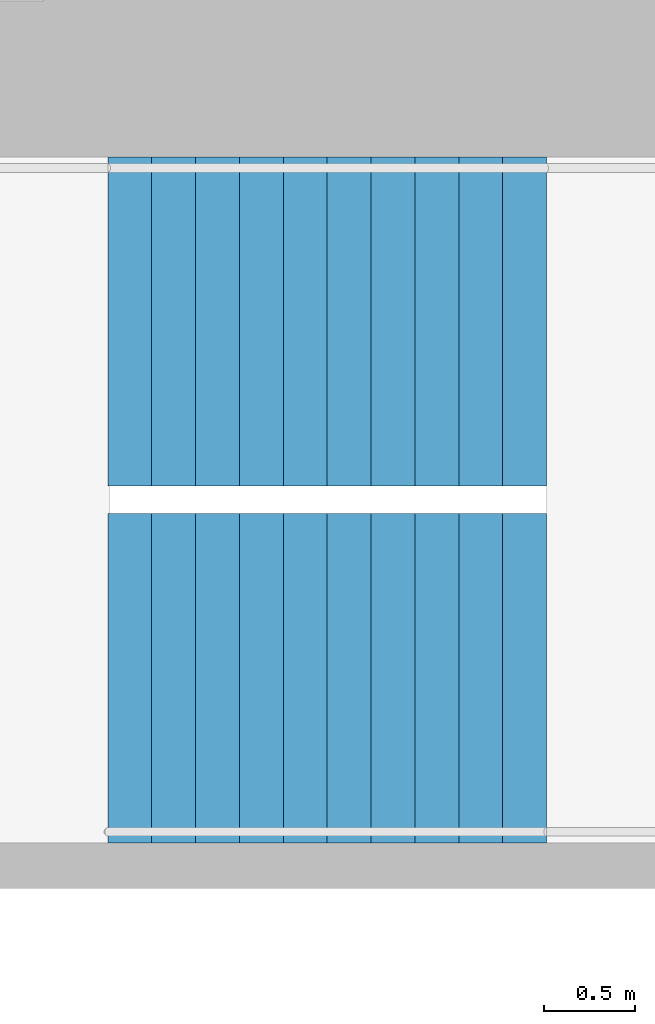
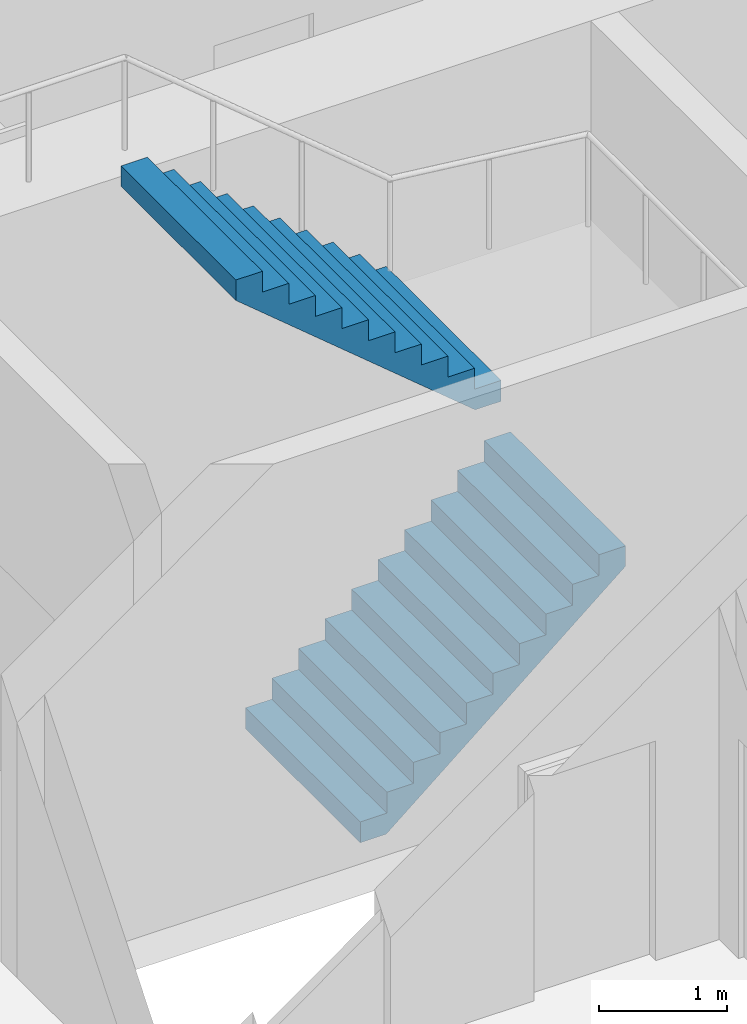
# One storey, part 26 of 30: 2 stair flights, 1 element without a shape of its own.
"""IFC4 building model written with IfcOpenShell, lengths in metres."""

from ifc_helpers import new_model, si_unit, direction, frame, origin, place, context, subcontext, project, spatial, triangles, material, type_object, element, aggregate, save


model = new_model("IFC4")

# Units and contexts
model_context = context("Model", 3, precision=1e-05, world=origin(), true_north=direction((0.0, 1.0)))
body_context = subcontext(model_context, "Body", "Model", "MODEL_VIEW")
ifc_project = project(units=[si_unit("LENGTHUNIT", "METRE"), si_unit("AREAUNIT", "SQUARE_METRE"), si_unit("VOLUMEUNIT", "CUBIC_METRE"), si_unit("PLANEANGLEUNIT", "RADIAN"), si_unit("MASSUNIT", "GRAM", prefix="KILO")], contexts=[model_context])

# Site, building, storey
site_placement = place(None, origin())
site = spatial("IfcSite", under=ifc_project, at=site_placement, CompositionType="ELEMENT")
building_placement = place(site_placement, origin())
building = spatial("IfcBuilding", under=site, at=building_placement, Name="Hakoniwa Tower and Hamabe Station Hall", CompositionType="ELEMENT")
storey_placement = place(building_placement, frame((0.0, 0.0, 64.60009765625)))
storey = spatial("IfcBuildingStorey", under=building, at=storey_placement, Name="L18", CompositionType="ELEMENT", Elevation=64.60009765625)

# Stair, stair flights
ifc_material_1 = material(Name="Concrete C40", Category="concrete")
stair_type = type_object("IfcStairType", Name="ESCAPE STAIR 1800", PredefinedType="HALF_TURN_STAIR", material=ifc_material_1)
stair_placement = place(storey_placement, origin())
stair = element("IfcStair", 1, at=stair_placement, inside=storey, type_object=stair_type, Name="Escape stair ST-1 L18", PredefinedType="HALF_TURN_STAIR")
ifc_material_2 = material(Name="Concrete C40", Category="concrete")
stair_flight_type = type_object("IfcStairFlightType", Name="STAIR FLIGHT 1800", PredefinedType="STRAIGHT", material=ifc_material_2)
stair_flight_1_placement = place(storey_placement, frame((-24.39990234375, 4.64990234375, 0.0), z_axis=(0.0, 0.0, 1.0), x_axis=(1.0, 0.0, 0.0)))
stair_flight_1 = element("IfcStairFlight", 2, at=stair_flight_1_placement, type_object=stair_flight_type, Name="ST-1 flight 1", NumberOfRisers=11, NumberOfTreads=10, PredefinedType="STRAIGHT", RiserHeight=0.2, TreadLength=0.24, context=body_context, shape_type="Tessellation", body=[
    triangles([(0.0, 0.89990234375, 0.0), (0.234130859375, 0.89990234375, 0.0), (0.239990234375, 0.89990234375, 0.0048828125), (0.47998046875, 0.89990234375, 0.204833984375), (0.719970703125, 0.89990234375, 0.40478515625), (0.9599609375, 0.89990234375, 0.60498046875), (1.199951171875, 0.89990234375, 0.804931640625), (1.43994140625, 0.89990234375, 1.0048828125), (1.679931640625, 0.89990234375, 1.204833984375), (1.919921875, 0.89990234375, 1.40478515625), (2.159912109375, 0.89990234375, 1.60498046875), (2.39990234375, 0.89990234375, 1.804931640625), (2.39990234375, 0.89990234375, 2.0), (2.159912109375, 0.89990234375, 2.0), (2.159912109375, 0.89990234375, 1.800048828125), (1.919921875, 0.89990234375, 1.800048828125), (1.919921875, 0.89990234375, 1.60009765625), (1.679931640625, 0.89990234375, 1.60009765625), (1.679931640625, 0.89990234375, 1.39990234375), (1.43994140625, 0.89990234375, 1.39990234375), (1.43994140625, 0.89990234375, 1.199951171875), (1.199951171875, 0.89990234375, 1.199951171875), (1.199951171875, 0.89990234375, 1.0), (0.9599609375, 0.89990234375, 1.0), (0.9599609375, 0.89990234375, 0.800048828125), (0.719970703125, 0.89990234375, 0.800048828125), (0.719970703125, 0.89990234375, 0.60009765625), (0.47998046875, 0.89990234375, 0.60009765625), (0.47998046875, 0.89990234375, 0.39990234375), (0.239990234375, 0.89990234375, 0.39990234375), (0.239990234375, 0.89990234375, 0.199951171875), (0.234130859375, 0.89990234375, 0.199951171875), (0.0, 0.89990234375, 0.199951171875), (0.0, 0.06005859375, 0.0), (0.234130859375, 0.06005859375, 0.0), (0.239990234375, 0.06005859375, 0.0048828125), (0.47998046875, 0.06005859375, 0.204833984375), (0.719970703125, 0.06005859375, 0.40478515625), (0.9599609375, 0.06005859375, 0.60498046875), (1.199951171875, 0.06005859375, 0.804931640625), (1.43994140625, 0.06005859375, 1.0048828125), (1.679931640625, 0.06005859375, 1.204833984375), (1.919921875, 0.06005859375, 1.40478515625), (2.159912109375, 0.06005859375, 1.60498046875), (2.39990234375, 0.06005859375, 1.804931640625), (2.39990234375, 0.06005859375, 2.0), (2.159912109375, 0.06005859375, 2.0), (2.159912109375, 0.06005859375, 1.800048828125), (1.919921875, 0.06005859375, 1.800048828125), (1.919921875, 0.06005859375, 1.60009765625), (1.679931640625, 0.06005859375, 1.60009765625), (1.679931640625, 0.06005859375, 1.39990234375), (1.43994140625, 0.06005859375, 1.39990234375), (1.43994140625, 0.06005859375, 1.199951171875), (1.199951171875, 0.06005859375, 1.199951171875), (1.199951171875, 0.06005859375, 1.0), (0.9599609375, 0.06005859375, 1.0), (0.9599609375, 0.06005859375, 0.800048828125), (0.719970703125, 0.06005859375, 0.800048828125), (0.719970703125, 0.06005859375, 0.60009765625), (0.47998046875, 0.06005859375, 0.60009765625), (0.47998046875, 0.06005859375, 0.39990234375), (0.239990234375, 0.06005859375, 0.39990234375), (0.239990234375, 0.06005859375, 0.199951171875), (0.234130859375, 0.06005859375, 0.199951171875), (0.0, 0.06005859375, 0.199951171875), (0.0, 0.02001953125, 0.0), (0.234130859375, 0.02001953125, 0.0), (0.239990234375, 0.02001953125, 0.0048828125), (0.47998046875, 0.02001953125, 0.204833984375), (0.719970703125, 0.02001953125, 0.40478515625), (0.9599609375, 0.02001953125, 0.60498046875), (1.199951171875, 0.02001953125, 0.804931640625), (1.43994140625, 0.02001953125, 1.0048828125), (1.679931640625, 0.02001953125, 1.204833984375), (1.919921875, 0.02001953125, 1.40478515625), (2.159912109375, 0.02001953125, 1.60498046875), (2.39990234375, 0.02001953125, 1.804931640625), (2.39990234375, 0.02001953125, 2.0), (2.159912109375, 0.02001953125, 2.0), (2.159912109375, 0.02001953125, 1.800048828125), (1.919921875, 0.02001953125, 1.800048828125), (1.919921875, 0.02001953125, 1.60009765625), (1.679931640625, 0.02001953125, 1.60009765625), (1.679931640625, 0.02001953125, 1.39990234375), (1.43994140625, 0.02001953125, 1.39990234375), (1.43994140625, 0.02001953125, 1.199951171875), (1.199951171875, 0.02001953125, 1.199951171875), (1.199951171875, 0.02001953125, 1.0), (0.9599609375, 0.02001953125, 1.0), (0.9599609375, 0.02001953125, 0.800048828125), (0.719970703125, 0.02001953125, 0.800048828125), (0.719970703125, 0.02001953125, 0.60009765625), (0.47998046875, 0.02001953125, 0.60009765625), (0.47998046875, 0.02001953125, 0.39990234375), (0.239990234375, 0.02001953125, 0.39990234375), (0.239990234375, 0.02001953125, 0.199951171875), (0.234130859375, 0.02001953125, 0.199951171875), (0.0, 0.02001953125, 0.199951171875), (0.0, -0.02001953125, 0.0), (0.234130859375, -0.02001953125, 0.0), (0.239990234375, -0.02001953125, 0.0048828125), (0.47998046875, -0.02001953125, 0.204833984375), (0.719970703125, -0.02001953125, 0.40478515625), (0.9599609375, -0.02001953125, 0.60498046875), (1.199951171875, -0.02001953125, 0.804931640625), (1.43994140625, -0.02001953125, 1.0048828125), (1.679931640625, -0.02001953125, 1.204833984375), (1.919921875, -0.02001953125, 1.40478515625), (2.159912109375, -0.02001953125, 1.60498046875), (2.39990234375, -0.02001953125, 1.804931640625), (2.39990234375, -0.02001953125, 2.0), (2.159912109375, -0.02001953125, 2.0), (2.159912109375, -0.02001953125, 1.800048828125), (1.919921875, -0.02001953125, 1.800048828125), (1.919921875, -0.02001953125, 1.60009765625), (1.679931640625, -0.02001953125, 1.60009765625), (1.679931640625, -0.02001953125, 1.39990234375), (1.43994140625, -0.02001953125, 1.39990234375), (1.43994140625, -0.02001953125, 1.199951171875), (1.199951171875, -0.02001953125, 1.199951171875), (1.199951171875, -0.02001953125, 1.0), (0.9599609375, -0.02001953125, 1.0), (0.9599609375, -0.02001953125, 0.800048828125), (0.719970703125, -0.02001953125, 0.800048828125), (0.719970703125, -0.02001953125, 0.60009765625), (0.47998046875, -0.02001953125, 0.60009765625), (0.47998046875, -0.02001953125, 0.39990234375), (0.239990234375, -0.02001953125, 0.39990234375), (0.239990234375, -0.02001953125, 0.199951171875), (0.234130859375, -0.02001953125, 0.199951171875), (0.0, -0.02001953125, 0.199951171875), (0.0, -0.06005859375, 0.0), (0.234130859375, -0.06005859375, 0.0), (0.239990234375, -0.06005859375, 0.0048828125), (0.47998046875, -0.06005859375, 0.204833984375), (0.719970703125, -0.06005859375, 0.40478515625), (0.9599609375, -0.06005859375, 0.60498046875), (1.199951171875, -0.06005859375, 0.804931640625), (1.43994140625, -0.06005859375, 1.0048828125), (1.679931640625, -0.06005859375, 1.204833984375), (1.919921875, -0.06005859375, 1.40478515625), (2.159912109375, -0.06005859375, 1.60498046875), (2.39990234375, -0.06005859375, 1.804931640625), (2.39990234375, -0.06005859375, 2.0), (2.159912109375, -0.06005859375, 2.0), (2.159912109375, -0.06005859375, 1.800048828125), (1.919921875, -0.06005859375, 1.800048828125), (1.919921875, -0.06005859375, 1.60009765625), (1.679931640625, -0.06005859375, 1.60009765625), (1.679931640625, -0.06005859375, 1.39990234375), (1.43994140625, -0.06005859375, 1.39990234375), (1.43994140625, -0.06005859375, 1.199951171875), (1.199951171875, -0.06005859375, 1.199951171875), (1.199951171875, -0.06005859375, 1.0), (0.9599609375, -0.06005859375, 1.0), (0.9599609375, -0.06005859375, 0.800048828125), (0.719970703125, -0.06005859375, 0.800048828125), (0.719970703125, -0.06005859375, 0.60009765625), (0.47998046875, -0.06005859375, 0.60009765625), (0.47998046875, -0.06005859375, 0.39990234375), (0.239990234375, -0.06005859375, 0.39990234375), (0.239990234375, -0.06005859375, 0.199951171875), (0.234130859375, -0.06005859375, 0.199951171875), (0.0, -0.06005859375, 0.199951171875), (0.0, -0.89990234375, 0.0), (0.234130859375, -0.89990234375, 0.0), (0.239990234375, -0.89990234375, 0.0048828125), (0.47998046875, -0.89990234375, 0.204833984375), (0.719970703125, -0.89990234375, 0.40478515625), (0.9599609375, -0.89990234375, 0.60498046875), (1.199951171875, -0.89990234375, 0.804931640625), (1.43994140625, -0.89990234375, 1.0048828125), (1.679931640625, -0.89990234375, 1.204833984375), (1.919921875, -0.89990234375, 1.40478515625), (2.159912109375, -0.89990234375, 1.60498046875), (2.39990234375, -0.89990234375, 1.804931640625), (2.39990234375, -0.89990234375, 2.0), (2.159912109375, -0.89990234375, 2.0), (2.159912109375, -0.89990234375, 1.800048828125), (1.919921875, -0.89990234375, 1.800048828125), (1.919921875, -0.89990234375, 1.60009765625), (1.679931640625, -0.89990234375, 1.60009765625), (1.679931640625, -0.89990234375, 1.39990234375), (1.43994140625, -0.89990234375, 1.39990234375), (1.43994140625, -0.89990234375, 1.199951171875), (1.199951171875, -0.89990234375, 1.199951171875), (1.199951171875, -0.89990234375, 1.0), (0.9599609375, -0.89990234375, 1.0), (0.9599609375, -0.89990234375, 0.800048828125), (0.719970703125, -0.89990234375, 0.800048828125), (0.719970703125, -0.89990234375, 0.60009765625), (0.47998046875, -0.89990234375, 0.60009765625), (0.47998046875, -0.89990234375, 0.39990234375), (0.239990234375, -0.89990234375, 0.39990234375), (0.239990234375, -0.89990234375, 0.199951171875), (0.234130859375, -0.89990234375, 0.199951171875), (0.0, -0.89990234375, 0.199951171875)], [[2, 33, 32], [167, 197, 198], [2, 1, 33], [167, 198, 166], [3, 32, 31], [168, 196, 197], [3, 2, 32], [168, 197, 167], [4, 30, 29], [169, 194, 195], [4, 31, 30], [169, 195, 196], [4, 3, 31], [169, 196, 168], [5, 28, 27], [170, 192, 193], [5, 29, 28], [170, 193, 194], [5, 4, 29], [170, 194, 169], [6, 26, 25], [171, 190, 191], [6, 27, 26], [171, 191, 192], [6, 5, 27], [171, 192, 170], [7, 24, 23], [172, 188, 189], [7, 25, 24], [172, 189, 190], [7, 6, 25], [172, 190, 171], [8, 22, 21], [173, 186, 187], [8, 23, 22], [173, 187, 188], [8, 7, 23], [173, 188, 172], [9, 20, 19], [174, 184, 185], [9, 21, 20], [174, 185, 186], [9, 8, 21], [174, 186, 173], [10, 18, 17], [175, 182, 183], [10, 19, 18], [175, 183, 184], [10, 9, 19], [175, 184, 174], [11, 16, 15], [176, 180, 181], [11, 17, 16], [176, 181, 182], [11, 10, 17], [176, 182, 175], [12, 14, 13], [177, 178, 179], [12, 15, 14], [177, 179, 180], [12, 11, 15], [177, 180, 176], [1, 2, 35], [1, 35, 34], [34, 35, 68], [34, 68, 67], [67, 68, 101], [67, 101, 100], [100, 101, 134], [100, 134, 133], [133, 134, 167], [133, 167, 166], [2, 3, 36], [2, 36, 35], [35, 36, 69], [35, 69, 68], [68, 69, 102], [68, 102, 101], [101, 102, 135], [101, 135, 134], [134, 135, 168], [134, 168, 167], [3, 4, 37], [3, 37, 36], [36, 37, 70], [36, 70, 69], [69, 70, 103], [69, 103, 102], [102, 103, 136], [102, 136, 135], [135, 136, 169], [135, 169, 168], [4, 5, 38], [4, 38, 37], [37, 38, 71], [37, 71, 70], [70, 71, 104], [70, 104, 103], [103, 104, 137], [103, 137, 136], [136, 137, 170], [136, 170, 169], [5, 6, 39], [5, 39, 38], [38, 39, 72], [38, 72, 71], [71, 72, 105], [71, 105, 104], [104, 105, 138], [104, 138, 137], [137, 138, 171], [137, 171, 170], [6, 7, 40], [6, 40, 39], [39, 40, 73], [39, 73, 72], [72, 73, 106], [72, 106, 105], [105, 106, 139], [105, 139, 138], [138, 139, 172], [138, 172, 171], [7, 8, 41], [7, 41, 40], [40, 41, 74], [40, 74, 73], [73, 74, 107], [73, 107, 106], [106, 107, 140], [106, 140, 139], [139, 140, 173], [139, 173, 172], [8, 9, 42], [8, 42, 41], [41, 42, 75], [41, 75, 74], [74, 75, 108], [74, 108, 107], [107, 108, 141], [107, 141, 140], [140, 141, 174], [140, 174, 173], [9, 10, 43], [9, 43, 42], [42, 43, 76], [42, 76, 75], [75, 76, 109], [75, 109, 108], [108, 109, 142], [108, 142, 141], [141, 142, 175], [141, 175, 174], [10, 11, 44], [10, 44, 43], [43, 44, 77], [43, 77, 76], [76, 77, 110], [76, 110, 109], [109, 110, 143], [109, 143, 142], [142, 143, 176], [142, 176, 175], [11, 12, 45], [11, 45, 44], [44, 45, 78], [44, 78, 77], [77, 78, 111], [77, 111, 110], [110, 111, 144], [110, 144, 143], [143, 144, 177], [143, 177, 176], [12, 13, 46], [12, 46, 45], [45, 46, 79], [45, 79, 78], [78, 79, 112], [78, 112, 111], [111, 112, 145], [111, 145, 144], [144, 145, 178], [144, 178, 177], [13, 14, 47], [13, 47, 46], [46, 47, 80], [46, 80, 79], [79, 80, 113], [79, 113, 112], [112, 113, 146], [112, 146, 145], [145, 146, 179], [145, 179, 178], [14, 15, 48], [14, 48, 47], [47, 48, 81], [47, 81, 80], [80, 81, 114], [80, 114, 113], [113, 114, 147], [113, 147, 146], [146, 147, 180], [146, 180, 179], [15, 16, 49], [15, 49, 48], [48, 49, 82], [48, 82, 81], [81, 82, 115], [81, 115, 114], [114, 115, 148], [114, 148, 147], [147, 148, 181], [147, 181, 180], [16, 17, 50], [16, 50, 49], [49, 50, 83], [49, 83, 82], [82, 83, 116], [82, 116, 115], [115, 116, 149], [115, 149, 148], [148, 149, 182], [148, 182, 181], [17, 18, 51], [17, 51, 50], [50, 51, 84], [50, 84, 83], [83, 84, 117], [83, 117, 116], [116, 117, 150], [116, 150, 149], [149, 150, 183], [149, 183, 182], [18, 19, 52], [18, 52, 51], [51, 52, 85], [51, 85, 84], [84, 85, 118], [84, 118, 117], [117, 118, 151], [117, 151, 150], [150, 151, 184], [150, 184, 183], [19, 20, 53], [19, 53, 52], [52, 53, 86], [52, 86, 85], [85, 86, 119], [85, 119, 118], [118, 119, 152], [118, 152, 151], [151, 152, 185], [151, 185, 184], [20, 21, 54], [20, 54, 53], [53, 54, 87], [53, 87, 86], [86, 87, 120], [86, 120, 119], [119, 120, 153], [119, 153, 152], [152, 153, 186], [152, 186, 185], [21, 22, 55], [21, 55, 54], [54, 55, 88], [54, 88, 87], [87, 88, 121], [87, 121, 120], [120, 121, 154], [120, 154, 153], [153, 154, 187], [153, 187, 186], [22, 23, 56], [22, 56, 55], [55, 56, 89], [55, 89, 88], [88, 89, 122], [88, 122, 121], [121, 122, 155], [121, 155, 154], [154, 155, 188], [154, 188, 187], [23, 24, 57], [23, 57, 56], [56, 57, 90], [56, 90, 89], [89, 90, 123], [89, 123, 122], [122, 123, 156], [122, 156, 155], [155, 156, 189], [155, 189, 188], [24, 25, 58], [24, 58, 57], [57, 58, 91], [57, 91, 90], [90, 91, 124], [90, 124, 123], [123, 124, 157], [123, 157, 156], [156, 157, 190], [156, 190, 189], [25, 26, 59], [25, 59, 58], [58, 59, 92], [58, 92, 91], [91, 92, 125], [91, 125, 124], [124, 125, 158], [124, 158, 157], [157, 158, 191], [157, 191, 190], [26, 27, 60], [26, 60, 59], [59, 60, 93], [59, 93, 92], [92, 93, 126], [92, 126, 125], [125, 126, 159], [125, 159, 158], [158, 159, 192], [158, 192, 191], [27, 28, 61], [27, 61, 60], [60, 61, 94], [60, 94, 93], [93, 94, 127], [93, 127, 126], [126, 127, 160], [126, 160, 159], [159, 160, 193], [159, 193, 192], [28, 29, 62], [28, 62, 61], [61, 62, 95], [61, 95, 94], [94, 95, 128], [94, 128, 127], [127, 128, 161], [127, 161, 160], [160, 161, 194], [160, 194, 193], [29, 30, 63], [29, 63, 62], [62, 63, 96], [62, 96, 95], [95, 96, 129], [95, 129, 128], [128, 129, 162], [128, 162, 161], [161, 162, 195], [161, 195, 194], [30, 31, 64], [30, 64, 63], [63, 64, 97], [63, 97, 96], [96, 97, 130], [96, 130, 129], [129, 130, 163], [129, 163, 162], [162, 163, 196], [162, 196, 195], [31, 32, 65], [31, 65, 64], [64, 65, 98], [64, 98, 97], [97, 98, 131], [97, 131, 130], [130, 131, 164], [130, 164, 163], [163, 164, 197], [163, 197, 196], [32, 33, 66], [32, 66, 65], [65, 66, 99], [65, 99, 98], [98, 99, 132], [98, 132, 131], [131, 132, 165], [131, 165, 164], [164, 165, 198], [164, 198, 197], [33, 1, 34], [33, 34, 66], [66, 34, 67], [66, 67, 99], [99, 67, 100], [99, 100, 132], [132, 100, 133], [132, 133, 165], [165, 133, 166], [165, 166, 198]], closed=True),
])
stair_flight_2_placement = place(storey_placement, frame((-22.0, 6.60009765625, 2.199951171875), z_axis=(0.0, 0.0, 1.0), x_axis=(-1.0, 0.0, 0.0)))
stair_flight_2 = element("IfcStairFlight", 3, at=stair_flight_2_placement, type_object=stair_flight_type, Name="ST-1 flight 2", NumberOfRisers=11, NumberOfTreads=10, PredefinedType="STRAIGHT", RiserHeight=0.2, TreadLength=0.24, context=body_context, shape_type="Tessellation", body=[
    triangles([(0.0, 0.89990234375, 0.0), (0.234130859375, 0.89990234375, 0.0), (0.239990234375, 0.89990234375, 0.0048828125), (0.47998046875, 0.89990234375, 0.204833984375), (0.719970703125, 0.89990234375, 0.40478515625), (0.9599609375, 0.89990234375, 0.60498046875), (1.199951171875, 0.89990234375, 0.804931640625), (1.43994140625, 0.89990234375, 1.0048828125), (1.679931640625, 0.89990234375, 1.204833984375), (1.919921875, 0.89990234375, 1.40478515625), (2.159912109375, 0.89990234375, 1.60498046875), (2.39990234375, 0.89990234375, 1.804931640625), (2.39990234375, 0.89990234375, 2.0), (2.159912109375, 0.89990234375, 2.0), (2.159912109375, 0.89990234375, 1.800048828125), (1.919921875, 0.89990234375, 1.800048828125), (1.919921875, 0.89990234375, 1.60009765625), (1.679931640625, 0.89990234375, 1.60009765625), (1.679931640625, 0.89990234375, 1.39990234375), (1.43994140625, 0.89990234375, 1.39990234375), (1.43994140625, 0.89990234375, 1.199951171875), (1.199951171875, 0.89990234375, 1.199951171875), (1.199951171875, 0.89990234375, 1.0), (0.9599609375, 0.89990234375, 1.0), (0.9599609375, 0.89990234375, 0.800048828125), (0.719970703125, 0.89990234375, 0.800048828125), (0.719970703125, 0.89990234375, 0.60009765625), (0.47998046875, 0.89990234375, 0.60009765625), (0.47998046875, 0.89990234375, 0.39990234375), (0.239990234375, 0.89990234375, 0.39990234375), (0.239990234375, 0.89990234375, 0.199951171875), (0.234130859375, 0.89990234375, 0.199951171875), (0.0, 0.89990234375, 0.199951171875), (0.0, 0.06005859375, 0.0), (0.234130859375, 0.06005859375, 0.0), (0.239990234375, 0.06005859375, 0.0048828125), (0.47998046875, 0.06005859375, 0.204833984375), (0.719970703125, 0.06005859375, 0.40478515625), (0.9599609375, 0.06005859375, 0.60498046875), (1.199951171875, 0.06005859375, 0.804931640625), (1.43994140625, 0.06005859375, 1.0048828125), (1.679931640625, 0.06005859375, 1.204833984375), (1.919921875, 0.06005859375, 1.40478515625), (2.159912109375, 0.06005859375, 1.60498046875), (2.39990234375, 0.06005859375, 1.804931640625), (2.39990234375, 0.06005859375, 2.0), (2.159912109375, 0.06005859375, 2.0), (2.159912109375, 0.06005859375, 1.800048828125), (1.919921875, 0.06005859375, 1.800048828125), (1.919921875, 0.06005859375, 1.60009765625), (1.679931640625, 0.06005859375, 1.60009765625), (1.679931640625, 0.06005859375, 1.39990234375), (1.43994140625, 0.06005859375, 1.39990234375), (1.43994140625, 0.06005859375, 1.199951171875), (1.199951171875, 0.06005859375, 1.199951171875), (1.199951171875, 0.06005859375, 1.0), (0.9599609375, 0.06005859375, 1.0), (0.9599609375, 0.06005859375, 0.800048828125), (0.719970703125, 0.06005859375, 0.800048828125), (0.719970703125, 0.06005859375, 0.60009765625), (0.47998046875, 0.06005859375, 0.60009765625), (0.47998046875, 0.06005859375, 0.39990234375), (0.239990234375, 0.06005859375, 0.39990234375), (0.239990234375, 0.06005859375, 0.199951171875), (0.234130859375, 0.06005859375, 0.199951171875), (0.0, 0.06005859375, 0.199951171875), (0.0, 0.02001953125, 0.0), (0.234130859375, 0.02001953125, 0.0), (0.239990234375, 0.02001953125, 0.0048828125), (0.47998046875, 0.02001953125, 0.204833984375), (0.719970703125, 0.02001953125, 0.40478515625), (0.9599609375, 0.02001953125, 0.60498046875), (1.199951171875, 0.02001953125, 0.804931640625), (1.43994140625, 0.02001953125, 1.0048828125), (1.679931640625, 0.02001953125, 1.204833984375), (1.919921875, 0.02001953125, 1.40478515625), (2.159912109375, 0.02001953125, 1.60498046875), (2.39990234375, 0.02001953125, 1.804931640625), (2.39990234375, 0.02001953125, 2.0), (2.159912109375, 0.02001953125, 2.0), (2.159912109375, 0.02001953125, 1.800048828125), (1.919921875, 0.02001953125, 1.800048828125), (1.919921875, 0.02001953125, 1.60009765625), (1.679931640625, 0.02001953125, 1.60009765625), (1.679931640625, 0.02001953125, 1.39990234375), (1.43994140625, 0.02001953125, 1.39990234375), (1.43994140625, 0.02001953125, 1.199951171875), (1.199951171875, 0.02001953125, 1.199951171875), (1.199951171875, 0.02001953125, 1.0), (0.9599609375, 0.02001953125, 1.0), (0.9599609375, 0.02001953125, 0.800048828125), (0.719970703125, 0.02001953125, 0.800048828125), (0.719970703125, 0.02001953125, 0.60009765625), (0.47998046875, 0.02001953125, 0.60009765625), (0.47998046875, 0.02001953125, 0.39990234375), (0.239990234375, 0.02001953125, 0.39990234375), (0.239990234375, 0.02001953125, 0.199951171875), (0.234130859375, 0.02001953125, 0.199951171875), (0.0, 0.02001953125, 0.199951171875), (0.0, -0.02001953125, 0.0), (0.234130859375, -0.02001953125, 0.0), (0.239990234375, -0.02001953125, 0.0048828125), (0.47998046875, -0.02001953125, 0.204833984375), (0.719970703125, -0.02001953125, 0.40478515625), (0.9599609375, -0.02001953125, 0.60498046875), (1.199951171875, -0.02001953125, 0.804931640625), (1.43994140625, -0.02001953125, 1.0048828125), (1.679931640625, -0.02001953125, 1.204833984375), (1.919921875, -0.02001953125, 1.40478515625), (2.159912109375, -0.02001953125, 1.60498046875), (2.39990234375, -0.02001953125, 1.804931640625), (2.39990234375, -0.02001953125, 2.0), (2.159912109375, -0.02001953125, 2.0), (2.159912109375, -0.02001953125, 1.800048828125), (1.919921875, -0.02001953125, 1.800048828125), (1.919921875, -0.02001953125, 1.60009765625), (1.679931640625, -0.02001953125, 1.60009765625), (1.679931640625, -0.02001953125, 1.39990234375), (1.43994140625, -0.02001953125, 1.39990234375), (1.43994140625, -0.02001953125, 1.199951171875), (1.199951171875, -0.02001953125, 1.199951171875), (1.199951171875, -0.02001953125, 1.0), (0.9599609375, -0.02001953125, 1.0), (0.9599609375, -0.02001953125, 0.800048828125), (0.719970703125, -0.02001953125, 0.800048828125), (0.719970703125, -0.02001953125, 0.60009765625), (0.47998046875, -0.02001953125, 0.60009765625), (0.47998046875, -0.02001953125, 0.39990234375), (0.239990234375, -0.02001953125, 0.39990234375), (0.239990234375, -0.02001953125, 0.199951171875), (0.234130859375, -0.02001953125, 0.199951171875), (0.0, -0.02001953125, 0.199951171875), (0.0, -0.06005859375, 0.0), (0.234130859375, -0.06005859375, 0.0), (0.239990234375, -0.06005859375, 0.0048828125), (0.47998046875, -0.06005859375, 0.204833984375), (0.719970703125, -0.06005859375, 0.40478515625), (0.9599609375, -0.06005859375, 0.60498046875), (1.199951171875, -0.06005859375, 0.804931640625), (1.43994140625, -0.06005859375, 1.0048828125), (1.679931640625, -0.06005859375, 1.204833984375), (1.919921875, -0.06005859375, 1.40478515625), (2.159912109375, -0.06005859375, 1.60498046875), (2.39990234375, -0.06005859375, 1.804931640625), (2.39990234375, -0.06005859375, 2.0), (2.159912109375, -0.06005859375, 2.0), (2.159912109375, -0.06005859375, 1.800048828125), (1.919921875, -0.06005859375, 1.800048828125), (1.919921875, -0.06005859375, 1.60009765625), (1.679931640625, -0.06005859375, 1.60009765625), (1.679931640625, -0.06005859375, 1.39990234375), (1.43994140625, -0.06005859375, 1.39990234375), (1.43994140625, -0.06005859375, 1.199951171875), (1.199951171875, -0.06005859375, 1.199951171875), (1.199951171875, -0.06005859375, 1.0), (0.9599609375, -0.06005859375, 1.0), (0.9599609375, -0.06005859375, 0.800048828125), (0.719970703125, -0.06005859375, 0.800048828125), (0.719970703125, -0.06005859375, 0.60009765625), (0.47998046875, -0.06005859375, 0.60009765625), (0.47998046875, -0.06005859375, 0.39990234375), (0.239990234375, -0.06005859375, 0.39990234375), (0.239990234375, -0.06005859375, 0.199951171875), (0.234130859375, -0.06005859375, 0.199951171875), (0.0, -0.06005859375, 0.199951171875), (0.0, -0.89990234375, 0.0), (0.234130859375, -0.89990234375, 0.0), (0.239990234375, -0.89990234375, 0.0048828125), (0.47998046875, -0.89990234375, 0.204833984375), (0.719970703125, -0.89990234375, 0.40478515625), (0.9599609375, -0.89990234375, 0.60498046875), (1.199951171875, -0.89990234375, 0.804931640625), (1.43994140625, -0.89990234375, 1.0048828125), (1.679931640625, -0.89990234375, 1.204833984375), (1.919921875, -0.89990234375, 1.40478515625), (2.159912109375, -0.89990234375, 1.60498046875), (2.39990234375, -0.89990234375, 1.804931640625), (2.39990234375, -0.89990234375, 2.0), (2.159912109375, -0.89990234375, 2.0), (2.159912109375, -0.89990234375, 1.800048828125), (1.919921875, -0.89990234375, 1.800048828125), (1.919921875, -0.89990234375, 1.60009765625), (1.679931640625, -0.89990234375, 1.60009765625), (1.679931640625, -0.89990234375, 1.39990234375), (1.43994140625, -0.89990234375, 1.39990234375), (1.43994140625, -0.89990234375, 1.199951171875), (1.199951171875, -0.89990234375, 1.199951171875), (1.199951171875, -0.89990234375, 1.0), (0.9599609375, -0.89990234375, 1.0), (0.9599609375, -0.89990234375, 0.800048828125), (0.719970703125, -0.89990234375, 0.800048828125), (0.719970703125, -0.89990234375, 0.60009765625), (0.47998046875, -0.89990234375, 0.60009765625), (0.47998046875, -0.89990234375, 0.39990234375), (0.239990234375, -0.89990234375, 0.39990234375), (0.239990234375, -0.89990234375, 0.199951171875), (0.234130859375, -0.89990234375, 0.199951171875), (0.0, -0.89990234375, 0.199951171875)], [[2, 33, 32], [167, 197, 198], [2, 1, 33], [167, 198, 166], [3, 32, 31], [168, 196, 197], [3, 2, 32], [168, 197, 167], [4, 30, 29], [169, 194, 195], [4, 31, 30], [169, 195, 196], [4, 3, 31], [169, 196, 168], [5, 28, 27], [170, 192, 193], [5, 29, 28], [170, 193, 194], [5, 4, 29], [170, 194, 169], [6, 26, 25], [171, 190, 191], [6, 27, 26], [171, 191, 192], [6, 5, 27], [171, 192, 170], [7, 24, 23], [172, 188, 189], [7, 25, 24], [172, 189, 190], [7, 6, 25], [172, 190, 171], [8, 22, 21], [173, 186, 187], [8, 23, 22], [173, 187, 188], [8, 7, 23], [173, 188, 172], [9, 20, 19], [174, 184, 185], [9, 21, 20], [174, 185, 186], [9, 8, 21], [174, 186, 173], [10, 18, 17], [175, 182, 183], [10, 19, 18], [175, 183, 184], [10, 9, 19], [175, 184, 174], [11, 16, 15], [176, 180, 181], [11, 17, 16], [176, 181, 182], [11, 10, 17], [176, 182, 175], [12, 14, 13], [177, 178, 179], [12, 15, 14], [177, 179, 180], [12, 11, 15], [177, 180, 176], [1, 2, 35], [1, 35, 34], [34, 35, 68], [34, 68, 67], [67, 68, 101], [67, 101, 100], [100, 101, 134], [100, 134, 133], [133, 134, 167], [133, 167, 166], [2, 3, 36], [2, 36, 35], [35, 36, 69], [35, 69, 68], [68, 69, 102], [68, 102, 101], [101, 102, 135], [101, 135, 134], [134, 135, 168], [134, 168, 167], [3, 4, 37], [3, 37, 36], [36, 37, 70], [36, 70, 69], [69, 70, 103], [69, 103, 102], [102, 103, 136], [102, 136, 135], [135, 136, 169], [135, 169, 168], [4, 5, 38], [4, 38, 37], [37, 38, 71], [37, 71, 70], [70, 71, 104], [70, 104, 103], [103, 104, 137], [103, 137, 136], [136, 137, 170], [136, 170, 169], [5, 6, 39], [5, 39, 38], [38, 39, 72], [38, 72, 71], [71, 72, 105], [71, 105, 104], [104, 105, 138], [104, 138, 137], [137, 138, 171], [137, 171, 170], [6, 7, 40], [6, 40, 39], [39, 40, 73], [39, 73, 72], [72, 73, 106], [72, 106, 105], [105, 106, 139], [105, 139, 138], [138, 139, 172], [138, 172, 171], [7, 8, 41], [7, 41, 40], [40, 41, 74], [40, 74, 73], [73, 74, 107], [73, 107, 106], [106, 107, 140], [106, 140, 139], [139, 140, 173], [139, 173, 172], [8, 9, 42], [8, 42, 41], [41, 42, 75], [41, 75, 74], [74, 75, 108], [74, 108, 107], [107, 108, 141], [107, 141, 140], [140, 141, 174], [140, 174, 173], [9, 10, 43], [9, 43, 42], [42, 43, 76], [42, 76, 75], [75, 76, 109], [75, 109, 108], [108, 109, 142], [108, 142, 141], [141, 142, 175], [141, 175, 174], [10, 11, 44], [10, 44, 43], [43, 44, 77], [43, 77, 76], [76, 77, 110], [76, 110, 109], [109, 110, 143], [109, 143, 142], [142, 143, 176], [142, 176, 175], [11, 12, 45], [11, 45, 44], [44, 45, 78], [44, 78, 77], [77, 78, 111], [77, 111, 110], [110, 111, 144], [110, 144, 143], [143, 144, 177], [143, 177, 176], [12, 13, 46], [12, 46, 45], [45, 46, 79], [45, 79, 78], [78, 79, 112], [78, 112, 111], [111, 112, 145], [111, 145, 144], [144, 145, 178], [144, 178, 177], [13, 14, 47], [13, 47, 46], [46, 47, 80], [46, 80, 79], [79, 80, 113], [79, 113, 112], [112, 113, 146], [112, 146, 145], [145, 146, 179], [145, 179, 178], [14, 15, 48], [14, 48, 47], [47, 48, 81], [47, 81, 80], [80, 81, 114], [80, 114, 113], [113, 114, 147], [113, 147, 146], [146, 147, 180], [146, 180, 179], [15, 16, 49], [15, 49, 48], [48, 49, 82], [48, 82, 81], [81, 82, 115], [81, 115, 114], [114, 115, 148], [114, 148, 147], [147, 148, 181], [147, 181, 180], [16, 17, 50], [16, 50, 49], [49, 50, 83], [49, 83, 82], [82, 83, 116], [82, 116, 115], [115, 116, 149], [115, 149, 148], [148, 149, 182], [148, 182, 181], [17, 18, 51], [17, 51, 50], [50, 51, 84], [50, 84, 83], [83, 84, 117], [83, 117, 116], [116, 117, 150], [116, 150, 149], [149, 150, 183], [149, 183, 182], [18, 19, 52], [18, 52, 51], [51, 52, 85], [51, 85, 84], [84, 85, 118], [84, 118, 117], [117, 118, 151], [117, 151, 150], [150, 151, 184], [150, 184, 183], [19, 20, 53], [19, 53, 52], [52, 53, 86], [52, 86, 85], [85, 86, 119], [85, 119, 118], [118, 119, 152], [118, 152, 151], [151, 152, 185], [151, 185, 184], [20, 21, 54], [20, 54, 53], [53, 54, 87], [53, 87, 86], [86, 87, 120], [86, 120, 119], [119, 120, 153], [119, 153, 152], [152, 153, 186], [152, 186, 185], [21, 22, 55], [21, 55, 54], [54, 55, 88], [54, 88, 87], [87, 88, 121], [87, 121, 120], [120, 121, 154], [120, 154, 153], [153, 154, 187], [153, 187, 186], [22, 23, 56], [22, 56, 55], [55, 56, 89], [55, 89, 88], [88, 89, 122], [88, 122, 121], [121, 122, 155], [121, 155, 154], [154, 155, 188], [154, 188, 187], [23, 24, 57], [23, 57, 56], [56, 57, 90], [56, 90, 89], [89, 90, 123], [89, 123, 122], [122, 123, 156], [122, 156, 155], [155, 156, 189], [155, 189, 188], [24, 25, 58], [24, 58, 57], [57, 58, 91], [57, 91, 90], [90, 91, 124], [90, 124, 123], [123, 124, 157], [123, 157, 156], [156, 157, 190], [156, 190, 189], [25, 26, 59], [25, 59, 58], [58, 59, 92], [58, 92, 91], [91, 92, 125], [91, 125, 124], [124, 125, 158], [124, 158, 157], [157, 158, 191], [157, 191, 190], [26, 27, 60], [26, 60, 59], [59, 60, 93], [59, 93, 92], [92, 93, 126], [92, 126, 125], [125, 126, 159], [125, 159, 158], [158, 159, 192], [158, 192, 191], [27, 28, 61], [27, 61, 60], [60, 61, 94], [60, 94, 93], [93, 94, 127], [93, 127, 126], [126, 127, 160], [126, 160, 159], [159, 160, 193], [159, 193, 192], [28, 29, 62], [28, 62, 61], [61, 62, 95], [61, 95, 94], [94, 95, 128], [94, 128, 127], [127, 128, 161], [127, 161, 160], [160, 161, 194], [160, 194, 193], [29, 30, 63], [29, 63, 62], [62, 63, 96], [62, 96, 95], [95, 96, 129], [95, 129, 128], [128, 129, 162], [128, 162, 161], [161, 162, 195], [161, 195, 194], [30, 31, 64], [30, 64, 63], [63, 64, 97], [63, 97, 96], [96, 97, 130], [96, 130, 129], [129, 130, 163], [129, 163, 162], [162, 163, 196], [162, 196, 195], [31, 32, 65], [31, 65, 64], [64, 65, 98], [64, 98, 97], [97, 98, 131], [97, 131, 130], [130, 131, 164], [130, 164, 163], [163, 164, 197], [163, 197, 196], [32, 33, 66], [32, 66, 65], [65, 66, 99], [65, 99, 98], [98, 99, 132], [98, 132, 131], [131, 132, 165], [131, 165, 164], [164, 165, 198], [164, 198, 197], [33, 1, 34], [33, 34, 66], [66, 34, 67], [66, 67, 99], [99, 67, 100], [99, 100, 132], [132, 100, 133], [132, 133, 165], [165, 133, 166], [165, 166, 198]], closed=True),
])
aggregate(stair, [stair_flight_1, stair_flight_2])

save(model, "model.ifc")
